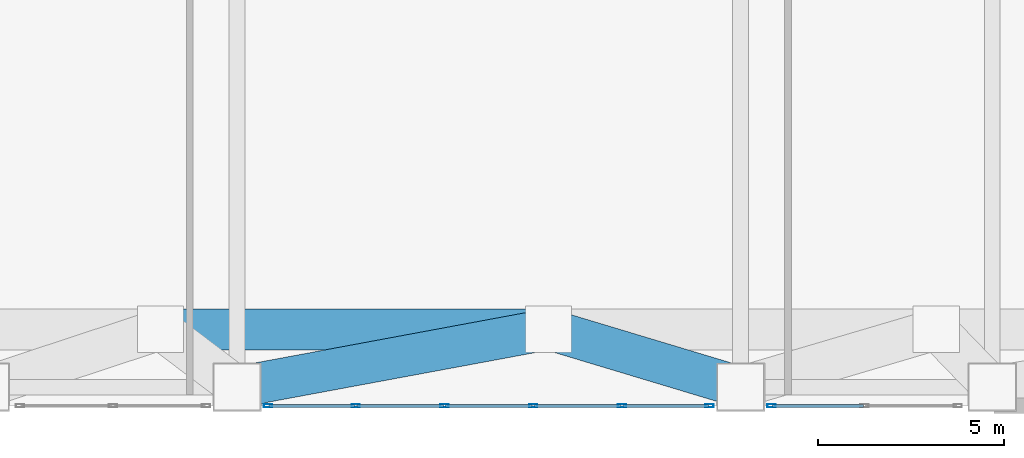
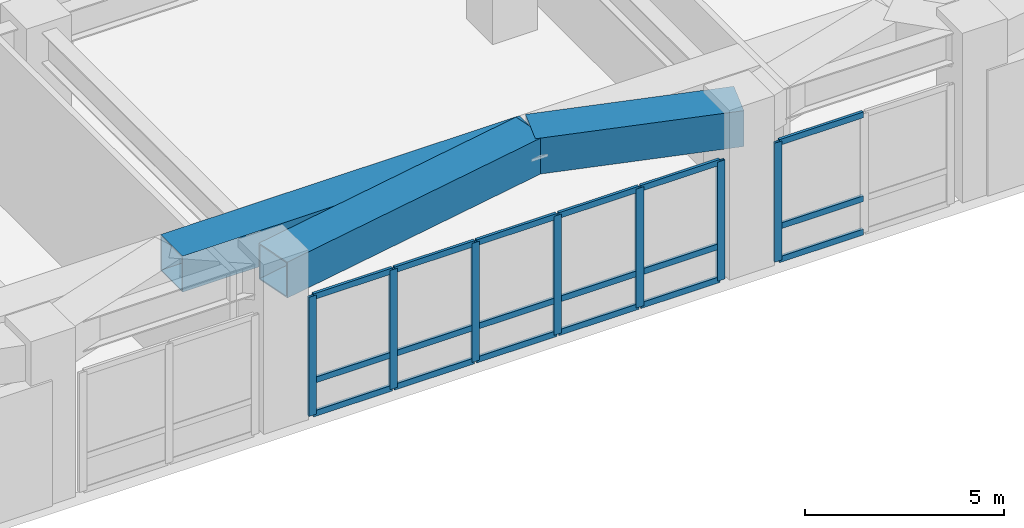
# One storey, part 4 of 20: 25 members, 3 beams, 2 elements without a shape of their own.
"""IFC4 building model written with IfcOpenShell, lengths in metres."""

from ifc_helpers import new_model, si_unit, direction, frame, origin, origin_2d, place, context, subcontext, project, spatial, hollow_rectangle, extrude, material, layer, layer_set, material_profile, profile_set, type_object, element, aggregate, save


model = new_model("IFC4")

# Units and contexts
model_context = context("Model", 3, precision=1e-05, world=origin(), true_north=direction((0.0, 1.0)))
body_context = subcontext(model_context, "Body", "Model", "MODEL_VIEW")
ifc_project = project(units=[si_unit("LENGTHUNIT", "METRE"), si_unit("AREAUNIT", "SQUARE_METRE"), si_unit("VOLUMEUNIT", "CUBIC_METRE"), si_unit("PLANEANGLEUNIT", "RADIAN"), si_unit("MASSUNIT", "GRAM", prefix="KILO")], contexts=[model_context])

# Site, building, storey
site_placement = place(None, origin())
site = spatial("IfcSite", under=ifc_project, at=site_placement, CompositionType="ELEMENT")
building_placement = place(site_placement, origin())
building = spatial("IfcBuilding", under=site, at=building_placement, Name="Voryun Gate Residences", CompositionType="ELEMENT")
storey_placement = place(building_placement, frame((0.0, 0.0, 20.800048828125)))
storey = spatial("IfcBuildingStorey", under=building, at=storey_placement, Name="L04", CompositionType="ELEMENT", Elevation=20.800048828125)

# Beams
ifc_material_1 = material(Name="Steel SM420", Category="steel")
ifc_material_profile_1 = material_profile(ifc_material_1, hollow_rectangle(XDim=1.10009765625, YDim=1.10009765625, WallThickness=0.035888671875, at=origin_2d()), Name="BOX-1100x1100x36")
ifc_profile_set_1 = profile_set([ifc_material_profile_1], Name="Steel SM420")
beam_type = type_object("IfcBeamType", Name="BM_ARCH_RIB", PredefinedType="USERDEFINED", material=ifc_profile_set_1)
beam_1_placement = place(storey_placement, frame((-8.800048828125, -21.75, 4.39990234375), z_axis=(1.0, 0.0, 0.0), x_axis=(0.0, 1.0, 0.0)))
element("IfcBeam", 1, at=beam_1_placement, inside=storey, type_object=beam_type, Name="BM-L04-B1RING-03", ObjectType="GIRDER", PredefinedType="USERDEFINED", context=body_context, shape_type="SweptSolid", body=[
    extrude(hollow_rectangle(XDim=1.10009765625, YDim=1.10009765625, WallThickness=0.035888671875, at=origin_2d()), origin(), (0.0, 0.0, 1.0), 10.400146484375),
])
beam_2_placement = place(storey_placement, frame((6.75, -23.300048828125, 4.39990234375), z_axis=(-0.957566016482, 0.288214024777, 0.0), x_axis=(-0.288214024777, -0.957566016482, 0.0)))
element("IfcBeam", 2, at=beam_2_placement, inside=storey, type_object=beam_type, Name="BM-L04-B1RAD1-S4", ObjectType="GIRDER", PredefinedType="USERDEFINED", context=body_context, shape_type="SweptSolid", body=[
    extrude(hollow_rectangle(XDim=1.10009765625, YDim=1.10009765625, WallThickness=0.035888671875, at=origin_2d()), origin(), (0.0, 0.0, 1.0), 5.378173828125),
])
beam_3_placement = place(storey_placement, frame((-6.75, -23.300048828125, 4.39990234375), z_axis=(0.983203183033, 0.182514385389, 0.0), x_axis=(-0.182514385389, 0.983203183033, 0.0)))
element("IfcBeam", 3, at=beam_3_placement, inside=storey, type_object=beam_type, Name="BM-L04-B1RAD2-S4", ObjectType="GIRDER", PredefinedType="USERDEFINED", context=body_context, shape_type="SweptSolid", body=[
    extrude(hollow_rectangle(XDim=1.10009765625, YDim=1.10009765625, WallThickness=0.035888671875, at=origin_2d()), origin(), (0.0, 0.0, 1.0), 8.49267578125),
])

# Curtain wall, members
ifc_material_2 = material(Name="Anodised aluminium", Category="aluminium")
ifc_layer = layer(ifc_material_2, 0.219970703125, Name="CW_SYS_POD_DARK_GLASS")
ifc_layer_set = layer_set([ifc_layer], Name="Anodised aluminium")
curtain_wall_type = type_object("IfcCurtainWallType", Name="CW_SYS_POD_DARK_GLASS", PredefinedType="NOTDEFINED", material=ifc_layer_set)
curtain_wall_1_placement = place(storey_placement, origin())
curtain_wall_1 = element("IfcCurtainWall", 4, at=curtain_wall_1_placement, inside=storey, type_object=curtain_wall_type, Name="Curtain wall CW1-L04-BRG-1-C", PredefinedType="NOTDEFINED")
ifc_material_3 = material(Name="Anodised aluminium", Category="aluminium")
ifc_material_profile_2 = material_profile(ifc_material_3, hollow_rectangle(XDim=0.080078125, YDim=0.219970703125, WallThickness=0.0048828125, at=origin_2d()), Name="ALU-MULL-220x80x5")
ifc_profile_set_2 = profile_set([ifc_material_profile_2], Name="Anodised aluminium")
member_type_1 = type_object("IfcMemberType", Name="CW_MULL_POD", PredefinedType="MULLION", material=ifc_profile_set_2)
member_1_placement = place(storey_placement, frame((-5.919921875, -23.800048828125, 0.0), z_axis=(0.0, 0.0, 1.0), x_axis=(0.0, 1.0, 0.0)))
member_1 = element("IfcMember", 5, at=member_1_placement, type_object=member_type_1, Name="CW1 mullion 1", PredefinedType="MULLION", context=body_context, shape_type="SweptSolid", body=[
    extrude(hollow_rectangle(XDim=0.080078125, YDim=0.219970703125, WallThickness=0.0048828125, at=origin_2d()), origin(), (0.0, 0.0, 1.0), 3.64990234375),
])
member_2_placement = place(storey_placement, frame((-3.570068359375, -23.800048828125, 0.0), z_axis=(0.0, 0.0, 1.0), x_axis=(0.0, 1.0, 0.0)))
member_2 = element("IfcMember", 6, at=member_2_placement, type_object=member_type_1, Name="CW1 mullion 2", PredefinedType="MULLION", context=body_context, shape_type="SweptSolid", body=[
    extrude(hollow_rectangle(XDim=0.080078125, YDim=0.219970703125, WallThickness=0.0048828125, at=origin_2d()), origin(), (0.0, 0.0, 1.0), 3.64990234375),
])
member_3_placement = place(storey_placement, frame((-1.18994140625, -23.800048828125, 0.0), z_axis=(0.0, 0.0, 1.0), x_axis=(0.0, 1.0, 0.0)))
member_3 = element("IfcMember", 7, at=member_3_placement, type_object=member_type_1, Name="CW1 mullion 3", PredefinedType="MULLION", context=body_context, shape_type="SweptSolid", body=[
    extrude(hollow_rectangle(XDim=0.080078125, YDim=0.219970703125, WallThickness=0.0048828125, at=origin_2d()), origin(), (0.0, 0.0, 1.0), 3.64990234375),
])
member_4_placement = place(storey_placement, frame((1.18994140625, -23.800048828125, 0.0), z_axis=(0.0, 0.0, 1.0), x_axis=(0.0, 1.0, 0.0)))
member_4 = element("IfcMember", 8, at=member_4_placement, type_object=member_type_1, Name="CW1 mullion 4", PredefinedType="MULLION", context=body_context, shape_type="SweptSolid", body=[
    extrude(hollow_rectangle(XDim=0.080078125, YDim=0.219970703125, WallThickness=0.0048828125, at=origin_2d()), origin(), (0.0, 0.0, 1.0), 3.64990234375),
])
member_5_placement = place(storey_placement, frame((3.570068359375, -23.800048828125, 0.0), z_axis=(0.0, 0.0, 1.0), x_axis=(0.0, 1.0, 0.0)))
member_5 = element("IfcMember", 9, at=member_5_placement, type_object=member_type_1, Name="CW1 mullion 5", PredefinedType="MULLION", context=body_context, shape_type="SweptSolid", body=[
    extrude(hollow_rectangle(XDim=0.080078125, YDim=0.219970703125, WallThickness=0.0048828125, at=origin_2d()), origin(), (0.0, 0.0, 1.0), 3.64990234375),
])
member_6_placement = place(storey_placement, frame((5.919921875, -23.800048828125, 0.0), z_axis=(0.0, 0.0, 1.0), x_axis=(0.0, 1.0, 0.0)))
member_6 = element("IfcMember", 10, at=member_6_placement, type_object=member_type_1, Name="CW1 mullion 6", PredefinedType="MULLION", context=body_context, shape_type="SweptSolid", body=[
    extrude(hollow_rectangle(XDim=0.080078125, YDim=0.219970703125, WallThickness=0.0048828125, at=origin_2d()), origin(), (0.0, 0.0, 1.0), 3.64990234375),
])

# Curtain wall, member
curtain_wall_2_placement = place(storey_placement, origin())
curtain_wall_2 = element("IfcCurtainWall", 11, at=curtain_wall_2_placement, inside=storey, type_object=curtain_wall_type, Name="Curtain wall CW1-L04-BRG-1-E", PredefinedType="NOTDEFINED")
member_7_placement = place(storey_placement, frame((7.580078125, -23.800048828125, 0.0), z_axis=(0.0, 0.0, 1.0), x_axis=(0.0, 1.0, 0.0)))
member_7 = element("IfcMember", 12, at=member_7_placement, type_object=member_type_1, Name="CW1 mullion 1", PredefinedType="MULLION", context=body_context, shape_type="SweptSolid", body=[
    extrude(hollow_rectangle(XDim=0.080078125, YDim=0.219970703125, WallThickness=0.0048828125, at=origin_2d()), origin(), (0.0, 0.0, 1.0), 3.64990234375),
])

# Member
ifc_material_4 = material(Name="Anodised aluminium", Category="aluminium")
ifc_material_profile_3 = material_profile(ifc_material_4, hollow_rectangle(XDim=0.080078125, YDim=0.179931640625, WallThickness=0.0048828125, at=origin_2d()), Name="ALU-TRAN-180x80x5")
ifc_profile_set_3 = profile_set([ifc_material_profile_3], Name="Anodised aluminium")
member_type_2 = type_object("IfcMemberType", Name="CW_TRAN_POD", PredefinedType="USERDEFINED", material=ifc_profile_set_3)
member_8_placement = place(storey_placement, frame((-5.889892578125, -23.800048828125, 0.030029296875), z_axis=(1.0, 0.0, 0.0), x_axis=(0.0, 1.0, 0.0)))
member_8 = element("IfcMember", 13, at=member_8_placement, type_object=member_type_2, Name="CW1 transom 1.1", ObjectType="TRANSOM", PredefinedType="USERDEFINED", context=body_context, shape_type="SweptSolid", body=[
    extrude(hollow_rectangle(XDim=0.080078125, YDim=0.179931640625, WallThickness=0.0048828125, at=origin_2d()), origin(), (0.0, 0.0, 1.0), 2.289794921875),
])

member_9_placement = place(storey_placement, frame((-5.889892578125, -23.800048828125, 1.050048828125), z_axis=(1.0, 0.0, 0.0), x_axis=(0.0, 1.0, 0.0)))
member_9 = element("IfcMember", 14, at=member_9_placement, type_object=member_type_2, Name="CW1 transom 1.2", ObjectType="TRANSOM", PredefinedType="USERDEFINED", context=body_context, shape_type="SweptSolid", body=[
    extrude(hollow_rectangle(XDim=0.080078125, YDim=0.179931640625, WallThickness=0.0048828125, at=origin_2d()), origin(), (0.0, 0.0, 1.0), 2.289794921875),
])

member_10_placement = place(storey_placement, frame((-5.889892578125, -23.800048828125, 3.619873046875), z_axis=(1.0, 0.0, 0.0), x_axis=(0.0, 1.0, 0.0)))
member_10 = element("IfcMember", 15, at=member_10_placement, type_object=member_type_2, Name="CW1 transom 1.3", ObjectType="TRANSOM", PredefinedType="USERDEFINED", context=body_context, shape_type="SweptSolid", body=[
    extrude(hollow_rectangle(XDim=0.080078125, YDim=0.179931640625, WallThickness=0.0048828125, at=origin_2d()), origin(), (0.0, 0.0, 1.0), 2.289794921875),
])

member_11_placement = place(storey_placement, frame((-3.5400390625, -23.800048828125, 0.030029296875), z_axis=(1.0, 0.0, 0.0), x_axis=(0.0, 1.0, 0.0)))
member_11 = element("IfcMember", 16, at=member_11_placement, type_object=member_type_2, Name="CW1 transom 2.1", ObjectType="TRANSOM", PredefinedType="USERDEFINED", context=body_context, shape_type="SweptSolid", body=[
    extrude(hollow_rectangle(XDim=0.080078125, YDim=0.179931640625, WallThickness=0.0048828125, at=origin_2d()), origin(), (0.0, 0.0, 1.0), 2.320068359375),
])

member_12_placement = place(storey_placement, frame((-3.5400390625, -23.800048828125, 1.050048828125), z_axis=(1.0, 0.0, 0.0), x_axis=(0.0, 1.0, 0.0)))
member_12 = element("IfcMember", 17, at=member_12_placement, type_object=member_type_2, Name="CW1 transom 2.2", ObjectType="TRANSOM", PredefinedType="USERDEFINED", context=body_context, shape_type="SweptSolid", body=[
    extrude(hollow_rectangle(XDim=0.080078125, YDim=0.179931640625, WallThickness=0.0048828125, at=origin_2d()), origin(), (0.0, 0.0, 1.0), 2.320068359375),
])

member_13_placement = place(storey_placement, frame((-3.5400390625, -23.800048828125, 3.619873046875), z_axis=(1.0, 0.0, 0.0), x_axis=(0.0, 1.0, 0.0)))
member_13 = element("IfcMember", 18, at=member_13_placement, type_object=member_type_2, Name="CW1 transom 2.3", ObjectType="TRANSOM", PredefinedType="USERDEFINED", context=body_context, shape_type="SweptSolid", body=[
    extrude(hollow_rectangle(XDim=0.080078125, YDim=0.179931640625, WallThickness=0.0048828125, at=origin_2d()), origin(), (0.0, 0.0, 1.0), 2.320068359375),
])

member_14_placement = place(storey_placement, frame((-1.159912109375, -23.800048828125, 0.030029296875), z_axis=(1.0, 0.0, 0.0), x_axis=(0.0, 1.0, 0.0)))
member_14 = element("IfcMember", 19, at=member_14_placement, type_object=member_type_2, Name="CW1 transom 3.1", ObjectType="TRANSOM", PredefinedType="USERDEFINED", context=body_context, shape_type="SweptSolid", body=[
    extrude(hollow_rectangle(XDim=0.080078125, YDim=0.179931640625, WallThickness=0.0048828125, at=origin_2d()), origin(), (0.0, 0.0, 1.0), 2.31982421875),
])

member_15_placement = place(storey_placement, frame((-1.159912109375, -23.800048828125, 1.050048828125), z_axis=(1.0, 0.0, 0.0), x_axis=(0.0, 1.0, 0.0)))
member_15 = element("IfcMember", 20, at=member_15_placement, type_object=member_type_2, Name="CW1 transom 3.2", ObjectType="TRANSOM", PredefinedType="USERDEFINED", context=body_context, shape_type="SweptSolid", body=[
    extrude(hollow_rectangle(XDim=0.080078125, YDim=0.179931640625, WallThickness=0.0048828125, at=origin_2d()), origin(), (0.0, 0.0, 1.0), 2.31982421875),
])

member_16_placement = place(storey_placement, frame((-1.159912109375, -23.800048828125, 3.619873046875), z_axis=(1.0, 0.0, 0.0), x_axis=(0.0, 1.0, 0.0)))
member_16 = element("IfcMember", 21, at=member_16_placement, type_object=member_type_2, Name="CW1 transom 3.3", ObjectType="TRANSOM", PredefinedType="USERDEFINED", context=body_context, shape_type="SweptSolid", body=[
    extrude(hollow_rectangle(XDim=0.080078125, YDim=0.179931640625, WallThickness=0.0048828125, at=origin_2d()), origin(), (0.0, 0.0, 1.0), 2.31982421875),
])

member_17_placement = place(storey_placement, frame((1.219970703125, -23.800048828125, 0.030029296875), z_axis=(1.0, 0.0, 0.0), x_axis=(0.0, 1.0, 0.0)))
member_17 = element("IfcMember", 22, at=member_17_placement, type_object=member_type_2, Name="CW1 transom 4.1", ObjectType="TRANSOM", PredefinedType="USERDEFINED", context=body_context, shape_type="SweptSolid", body=[
    extrude(hollow_rectangle(XDim=0.080078125, YDim=0.179931640625, WallThickness=0.0048828125, at=origin_2d()), origin(), (0.0, 0.0, 1.0), 2.320068359375),
])

member_18_placement = place(storey_placement, frame((1.219970703125, -23.800048828125, 1.050048828125), z_axis=(1.0, 0.0, 0.0), x_axis=(0.0, 1.0, 0.0)))
member_18 = element("IfcMember", 23, at=member_18_placement, type_object=member_type_2, Name="CW1 transom 4.2", ObjectType="TRANSOM", PredefinedType="USERDEFINED", context=body_context, shape_type="SweptSolid", body=[
    extrude(hollow_rectangle(XDim=0.080078125, YDim=0.179931640625, WallThickness=0.0048828125, at=origin_2d()), origin(), (0.0, 0.0, 1.0), 2.320068359375),
])

member_19_placement = place(storey_placement, frame((1.219970703125, -23.800048828125, 3.619873046875), z_axis=(1.0, 0.0, 0.0), x_axis=(0.0, 1.0, 0.0)))
member_19 = element("IfcMember", 24, at=member_19_placement, type_object=member_type_2, Name="CW1 transom 4.3", ObjectType="TRANSOM", PredefinedType="USERDEFINED", context=body_context, shape_type="SweptSolid", body=[
    extrude(hollow_rectangle(XDim=0.080078125, YDim=0.179931640625, WallThickness=0.0048828125, at=origin_2d()), origin(), (0.0, 0.0, 1.0), 2.320068359375),
])

member_20_placement = place(storey_placement, frame((3.60009765625, -23.800048828125, 0.030029296875), z_axis=(1.0, 0.0, 0.0), x_axis=(0.0, 1.0, 0.0)))
member_20 = element("IfcMember", 25, at=member_20_placement, type_object=member_type_2, Name="CW1 transom 5.1", ObjectType="TRANSOM", PredefinedType="USERDEFINED", context=body_context, shape_type="SweptSolid", body=[
    extrude(hollow_rectangle(XDim=0.080078125, YDim=0.179931640625, WallThickness=0.0048828125, at=origin_2d()), origin(), (0.0, 0.0, 1.0), 2.289794921875),
])

member_21_placement = place(storey_placement, frame((3.60009765625, -23.800048828125, 1.050048828125), z_axis=(1.0, 0.0, 0.0), x_axis=(0.0, 1.0, 0.0)))
member_21 = element("IfcMember", 26, at=member_21_placement, type_object=member_type_2, Name="CW1 transom 5.2", ObjectType="TRANSOM", PredefinedType="USERDEFINED", context=body_context, shape_type="SweptSolid", body=[
    extrude(hollow_rectangle(XDim=0.080078125, YDim=0.179931640625, WallThickness=0.0048828125, at=origin_2d()), origin(), (0.0, 0.0, 1.0), 2.289794921875),
])

member_22_placement = place(storey_placement, frame((3.60009765625, -23.800048828125, 3.619873046875), z_axis=(1.0, 0.0, 0.0), x_axis=(0.0, 1.0, 0.0)))
member_22 = element("IfcMember", 27, at=member_22_placement, type_object=member_type_2, Name="CW1 transom 5.3", ObjectType="TRANSOM", PredefinedType="USERDEFINED", context=body_context, shape_type="SweptSolid", body=[
    extrude(hollow_rectangle(XDim=0.080078125, YDim=0.179931640625, WallThickness=0.0048828125, at=origin_2d()), origin(), (0.0, 0.0, 1.0), 2.289794921875),
])

aggregate(curtain_wall_1, [member_1, member_2, member_3, member_4, member_5, member_6, member_8, member_9, member_10, member_11, member_12, member_13, member_14, member_15, member_16, member_17, member_18, member_19, member_20, member_21, member_22])

member_23_placement = place(storey_placement, frame((7.610107421875, -23.800048828125, 0.030029296875), z_axis=(1.0, 0.0, 0.0), x_axis=(0.0, 1.0, 0.0)))
member_23 = element("IfcMember", 28, at=member_23_placement, type_object=member_type_2, Name="CW1 transom 1.1", ObjectType="TRANSOM", PredefinedType="USERDEFINED", context=body_context, shape_type="SweptSolid", body=[
    extrude(hollow_rectangle(XDim=0.080078125, YDim=0.179931640625, WallThickness=0.0048828125, at=origin_2d()), origin(), (0.0, 0.0, 1.0), 2.434814453125),
])

member_24_placement = place(storey_placement, frame((7.610107421875, -23.800048828125, 1.050048828125), z_axis=(1.0, 0.0, 0.0), x_axis=(0.0, 1.0, 0.0)))
member_24 = element("IfcMember", 29, at=member_24_placement, type_object=member_type_2, Name="CW1 transom 1.2", ObjectType="TRANSOM", PredefinedType="USERDEFINED", context=body_context, shape_type="SweptSolid", body=[
    extrude(hollow_rectangle(XDim=0.080078125, YDim=0.179931640625, WallThickness=0.0048828125, at=origin_2d()), origin(), (0.0, 0.0, 1.0), 2.434814453125),
])

member_25_placement = place(storey_placement, frame((7.610107421875, -23.800048828125, 3.619873046875), z_axis=(1.0, 0.0, 0.0), x_axis=(0.0, 1.0, 0.0)))
member_25 = element("IfcMember", 30, at=member_25_placement, type_object=member_type_2, Name="CW1 transom 1.3", ObjectType="TRANSOM", PredefinedType="USERDEFINED", context=body_context, shape_type="SweptSolid", body=[
    extrude(hollow_rectangle(XDim=0.080078125, YDim=0.179931640625, WallThickness=0.0048828125, at=origin_2d()), origin(), (0.0, 0.0, 1.0), 2.434814453125),
])

aggregate(curtain_wall_2, [member_7, member_23, member_24, member_25])

save(model, "model.ifc")
